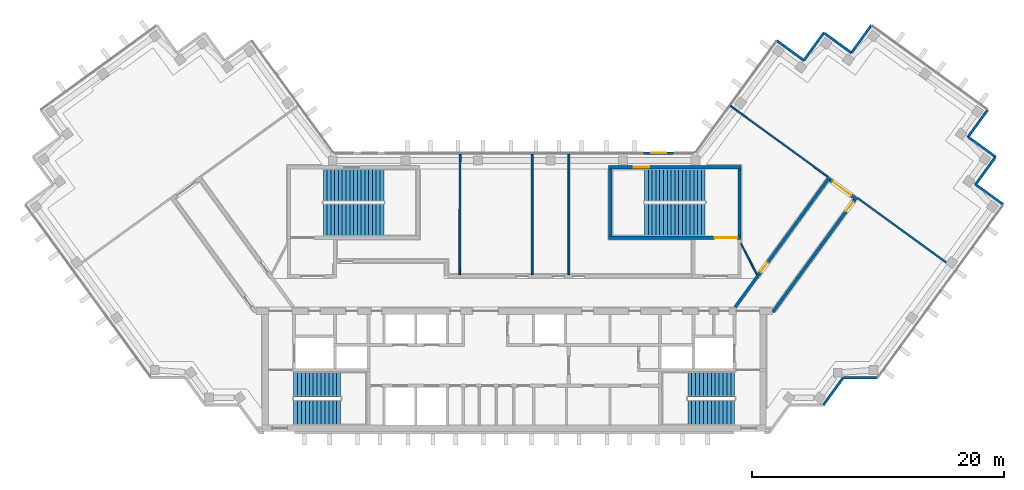
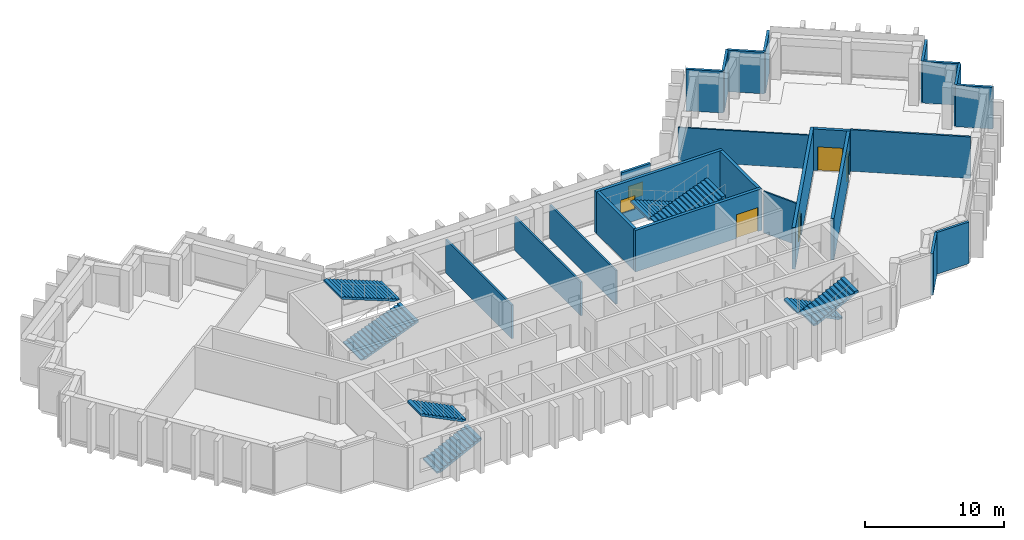
# One storey, part 8 of 10: 24 walls, 8 stair flights, 4 doors, 2 windows, 6 openings, 4 elements without a shape of their own.
"""IFC4 building model written with IfcOpenShell, lengths in metres."""

from ifc_helpers import new_model, si_unit, direction, frame, frame_2d, origin, place, context, subcontext, project, spatial, polyline, rectangle, outline, extrude, material, layer, layer_set, type_object, element, fill, aggregate, save


model = new_model("IFC4")

# Units and contexts
model_context = context("Model", 3, precision=1e-05, world=origin(), true_north=direction((0.0, 1.0)))
body_context = subcontext(model_context, "Body", "Model", "MODEL_VIEW")
ifc_project = project(units=[si_unit("LENGTHUNIT", "METRE"), si_unit("AREAUNIT", "SQUARE_METRE"), si_unit("VOLUMEUNIT", "CUBIC_METRE"), si_unit("PLANEANGLEUNIT", "RADIAN"), si_unit("MASSUNIT", "GRAM", prefix="KILO")], contexts=[model_context])

# Site, building, storey
site_placement = place(None, origin())
site = spatial("IfcSite", under=ifc_project, at=site_placement, CompositionType="ELEMENT")
building_placement = place(site_placement, origin())
building = spatial("IfcBuilding", under=site, at=building_placement, Name="Quipu Civic Tower", CompositionType="ELEMENT")
storey_placement = place(building_placement, frame((0.0, 0.0, 253.0)))
storey = spatial("IfcBuildingStorey", under=building, at=storey_placement, Name="L59", CompositionType="ELEMENT", Elevation=253.0)

# Walls
ifc_material_1 = material(Name="Double gypsum plasterboard with mineral wool")
ifc_layer_1 = layer(ifc_material_1, 0.14990234375)
ifc_layer_set_1 = layer_set([ifc_layer_1], Name="Double gypsum plasterboard with mineral wool")
wall_type_1 = type_object("IfcWallType", Name="Acoustic partition 150 plasterboard", PredefinedType="PARTITIONING", material=ifc_layer_set_1)
for number, where, z_axis, x_axis, name in (
    (1, (-4.29638671875, 11.0, 0.0), (0.0, 0.0, 1.0), (-0.002377476217, -0.999997173799, 0.0), "Partition P03"),
    (2, (1.419921875, 1.449951171875, 0.0), (0.0, 0.0, 1.0), (0.0, 1.0, 0.0), "Partition P04"),
):
    element("IfcWall", number, at=place(storey_placement, frame(where, z_axis=z_axis, x_axis=x_axis)), inside=storey, type_object=wall_type_1, Name=name, PredefinedType="PARTITIONING", context=body_context, shape_type="SweptSolid", body=[
        extrude(rectangle(XDim=9.550048828125, YDim=0.14990234375, at=frame_2d((4.77490234375, 0.0))), origin(), (0.0, 0.0, 1.0), 2.949951171875),
    ])
wall_1_placement = place(storey_placement, frame((27.240478515625, 7.532470703125, 0.0), z_axis=(0.0, 0.0, 1.0), x_axis=(0.809027940177, -0.587770186393, 0.0)))
element("IfcWall", 3, at=wall_1_placement, inside=storey, type_object=wall_type_1, Name="Partition P05", PredefinedType="PARTITIONING", context=body_context, shape_type="SweptSolid", body=[
    extrude(rectangle(XDim=8.71484375, YDim=0.14990234375, at=frame_2d((4.357421875, 0.0))), origin(), (0.0, 0.0, 1.0), 3.64990234375),
])
wall_2_placement = place(storey_placement, frame((4.339111328125, 11.0, 0.0), z_axis=(0.0, 0.0, 1.0), x_axis=(0.0, -1.0, 0.0)))
element("IfcWall", 4, at=wall_2_placement, inside=storey, type_object=wall_type_1, Name="Partition P07", PredefinedType="PARTITIONING", context=body_context, shape_type="SweptSolid", body=[
    extrude(rectangle(XDim=9.550048828125, YDim=0.14990234375, at=frame_2d((4.77490234375, 0.0))), origin(), (0.0, 0.0, 1.0), 2.949951171875),
])

# Wall, opening, door
ifc_material_2 = material(Name="Concrete C70/85", Category="concrete")
ifc_layer_2 = layer(ifc_material_2, 0.25)
ifc_layer_set_2 = layer_set([ifc_layer_2], Name="Concrete C70/85")
wall_type_2 = type_object("IfcWallType", Name="Core wall 250", PredefinedType="SHEAR", material=ifc_layer_set_2)
wall_3_placement = place(storey_placement, frame((7.5, 4.375, 0.0), z_axis=(0.0, 0.0, 1.0), x_axis=(1.0, 0.0, 0.0)))
wall_3 = element("IfcWall", 5, at=wall_3_placement, inside=storey, type_object=wall_type_2, Name="Core wall", PredefinedType="SHEAR", context=body_context, shape_type="SweptSolid", body=[
    extrude(rectangle(XDim=10.5, YDim=0.25, at=frame_2d((5.25, 0.0))), origin(), (0.0, 0.0, 1.0), 3.64990234375),
])
opening_1_placement = place(wall_3_placement, frame((8.39990234375, 0.0, 0.0)))
opening_1 = element("IfcOpeningElement", 6, at=opening_1_placement, cuts=wall_3, Name="Opening CD-30", PredefinedType="OPENING", context=body_context, shape_type="SweptSolid", body=[
    extrude(rectangle(XDim=1.800048828125, YDim=2.10009765625, at=frame_2d((0.89990234375, 1.050048828125))), frame((0.0, 0.135009765625, 0.0), z_axis=(0.0, -1.0, 0.0), x_axis=(1.0, 0.0, 0.0)), (0.0, 0.0, 1.0), 0.27001953125),
])
ifc_material_3 = material(Name="Fire rated steel door", Category="steel")
door_type_1 = type_object("IfcDoorType", Name="Fire door FD90 double 1800 x 2100", OperationType="NOTDEFINED", PredefinedType="DOOR", material=ifc_material_3)
door_1_placement = place(opening_1_placement, origin())
door_1 = element("IfcDoor", 7, at=door_1_placement, inside=storey, type_object=door_type_1, Name="Door", OperationType="DOUBLE_DOOR_SINGLE_SWING", OverallHeight=2.10009765625, OverallWidth=1.800048828125, PredefinedType="DOOR", context=body_context, shape_type="SweptSolid", body=[
    extrude(rectangle(XDim=1.800048828125, YDim=2.10009765625, at=frame_2d((0.89990234375, 1.050048828125))), frame((0.0, 0.02490234375, 0.0), z_axis=(0.0, -1.0, 0.0), x_axis=(1.0, 0.0, 0.0)), (0.0, 0.0, 1.0), 0.050048828125),
])
fill(opening_1, door_1)

# Walls
for number, where, z_axis, x_axis, name in (
    (8, (7.625, 4.5, 0.0), (0.0, 0.0, 1.0), (0.0, 1.0, 0.0), "Core wall"),
    (9, (17.875, 4.5, 0.0), (0.0, 0.0, 1.0), (0.0, 1.0, 0.0), "Core wall"),
):
    element("IfcWall", number, at=place(storey_placement, frame(where, z_axis=z_axis, x_axis=x_axis)), inside=storey, type_object=wall_type_2, Name=name, PredefinedType="SHEAR", context=body_context, shape_type="SweptSolid", body=[
        extrude(rectangle(XDim=5.35009765625, YDim=0.25, at=frame_2d((2.675048828125, 0.0))), origin(), (0.0, 0.0, 1.0), 3.64990234375),
    ])

# Wall, opening, window
wall_4_placement = place(storey_placement, frame((7.5, 9.97509765625, 0.0), z_axis=(0.0, 0.0, 1.0), x_axis=(1.0, 0.0, 0.0)))
wall_4 = element("IfcWall", 10, at=wall_4_placement, inside=storey, type_object=wall_type_2, Name="Core wall", PredefinedType="SHEAR", context=body_context, shape_type="SweptSolid", body=[
    extrude(rectangle(XDim=10.5, YDim=0.25, at=frame_2d((5.25, 0.0))), origin(), (0.0, 0.0, 1.0), 3.64990234375),
])
opening_2_placement = place(wall_4_placement, frame((2.0, 0.0, 1.0)))
opening_2 = element("IfcOpeningElement", 11, at=opening_2_placement, cuts=wall_4, Name="Opening SV-4", PredefinedType="OPENING", context=body_context, shape_type="SweptSolid", body=[
    extrude(rectangle(XDim=1.199951171875, YDim=1.199951171875, at=frame_2d((0.60009765625, 0.60009765625))), frame((0.0, 0.135009765625, 0.0), z_axis=(0.0, -1.0, 0.0), x_axis=(1.0, 0.0, 0.0)), (0.0, 0.0, 1.0), 0.27001953125),
])
ifc_material_4 = material(Name="Aluminium louvre", Category="aluminium")
window_type_1 = type_object("IfcWindowType", Name="Stair ventilation louvre 1200 x 1200", PartitioningType="SINGLE_PANEL", PredefinedType="WINDOW", material=ifc_material_4)
window_1_placement = place(opening_2_placement, origin())
window_1 = element("IfcWindow", 12, at=window_1_placement, inside=storey, type_object=window_type_1, Name="Stair ventilation opening", OverallHeight=1.199951171875, OverallWidth=1.199951171875, PartitioningType="SINGLE_PANEL", PredefinedType="WINDOW", context=body_context, shape_type="SweptSolid", body=[
    extrude(rectangle(XDim=1.199951171875, YDim=1.199951171875, at=frame_2d((0.60009765625, 0.60009765625))), frame((0.0, 0.030029296875, 0.0), z_axis=(0.0, -1.0, 0.0), x_axis=(1.0, 0.0, 0.0)), (0.0, 0.0, 1.0), 0.06005859375),
])
fill(opening_2, window_1)

# Wall, opening, door
ifc_material_5 = material(Name="Concrete C50/60", Category="concrete")
ifc_layer_3 = layer(ifc_material_5, 0.25)
ifc_layer_set_3 = layer_set([ifc_layer_3], Name="Concrete C50/60")
wall_type_3 = type_object("IfcWallType", Name="Corridor wall 250 concrete", PredefinedType="SOLIDWALL", material=ifc_layer_set_3)
wall_5_placement = place(storey_placement, frame((17.544921875, -1.124755859375, 0.0), z_axis=(0.0, 0.0, 1.0), x_axis=(0.587796810203, 0.809008596935, 0.0)))
wall_5 = element("IfcWall", 13, at=wall_5_placement, inside=storey, type_object=wall_type_3, Name="Corridor wall C01", PredefinedType="SOLIDWALL", context=body_context, shape_type="SweptSolid", body=[
    extrude(rectangle(XDim=12.703125, YDim=0.25, at=frame_2d((6.3515625, 0.0))), origin(), (0.0, 0.0, 1.0), 3.64990234375),
])
opening_3_placement = place(wall_5_placement, frame((3.44140625, 0.0, 0.0)))
opening_3 = element("IfcOpeningElement", 14, at=opening_3_placement, cuts=wall_5, Name="Opening D001", PredefinedType="OPENING", context=body_context, shape_type="SweptSolid", body=[
    extrude(rectangle(XDim=0.89990234375, YDim=2.10009765625, at=frame_2d((0.449951171875, 1.050048828125))), frame((0.0, 0.135009765625, 0.0), z_axis=(0.0, -1.0, 0.0), x_axis=(1.0, 0.0, 0.0)), (0.0, 0.0, 1.0), 0.27001953125),
])
ifc_material_6 = material(Name="Fire rated timber door set with metal frame", Category="wood")
door_type_2 = type_object("IfcDoorType", Name="Single door 900 x 2100 FD60", OperationType="NOTDEFINED", PredefinedType="DOOR", material=ifc_material_6)
door_2_placement = place(opening_3_placement, origin())
door_2 = element("IfcDoor", 15, at=door_2_placement, inside=storey, type_object=door_type_2, Name="Door D001", OperationType="SINGLE_SWING_LEFT", OverallHeight=2.10009765625, OverallWidth=0.89990234375, PredefinedType="DOOR", context=body_context, shape_type="SweptSolid", body=[
    extrude(rectangle(XDim=0.89990234375, YDim=2.10009765625, at=frame_2d((0.449951171875, 1.050048828125))), frame((0.0, 0.02490234375, 0.0), z_axis=(0.0, -1.0, 0.0), x_axis=(1.0, 0.0, 0.0)), (0.0, 0.0, 1.0), 0.050048828125),
])
fill(opening_3, door_2)

wall_6_placement = place(storey_placement, frame((25.039306640625, 8.9775390625, 0.0), z_axis=(0.0, 0.0, 1.0), x_axis=(0.809006914995, -0.587799125119, 0.0)))
wall_6 = element("IfcWall", 16, at=wall_6_placement, inside=storey, type_object=wall_type_3, Name="Corridor wall C02", PredefinedType="SOLIDWALL", context=body_context, shape_type="SweptSolid", body=[
    extrude(rectangle(XDim=2.64990234375, YDim=0.25, at=frame_2d((1.324951171875, 0.0))), origin(), (0.0, 0.0, 1.0), 3.64990234375),
])
opening_4_placement = place(wall_6_placement, frame((0.300537109375, 0.0, 0.0)))
opening_4 = element("IfcOpeningElement", 17, at=opening_4_placement, cuts=wall_6, Name="Opening D003", PredefinedType="OPENING", context=body_context, shape_type="SweptSolid", body=[
    extrude(rectangle(XDim=1.800048828125, YDim=2.10009765625, at=frame_2d((0.89990234375, 1.050048828125))), frame((0.0, 0.135009765625, 0.0), z_axis=(0.0, -1.0, 0.0), x_axis=(1.0, 0.0, 0.0)), (0.0, 0.0, 1.0), 0.27001953125),
])
ifc_material_7 = material(Name="Fire rated timber door set with metal frame", Category="wood")
door_type_3 = type_object("IfcDoorType", Name="Double door 1800 x 2100 FD60", OperationType="DOUBLE_DOOR_SINGLE_SWING", PredefinedType="DOOR", material=ifc_material_7)
door_3_placement = place(opening_4_placement, origin())
door_3 = element("IfcDoor", 18, at=door_3_placement, inside=storey, type_object=door_type_3, Name="Door D003", OperationType="DOUBLE_DOOR_SINGLE_SWING", OverallHeight=2.10009765625, OverallWidth=1.800048828125, PredefinedType="DOOR", context=body_context, shape_type="SweptSolid", body=[
    extrude(rectangle(XDim=1.800048828125, YDim=2.10009765625, at=frame_2d((0.89990234375, 1.050048828125))), frame((0.0, 0.02490234375, 0.0), z_axis=(0.0, -1.0, 0.0), x_axis=(1.0, 0.0, 0.0)), (0.0, 0.0, 1.0), 0.050048828125),
])
fill(opening_4, door_3)

wall_7_placement = place(storey_placement, frame((27.008544921875, 7.392333984375, 0.0), z_axis=(0.0, 0.0, 1.0), x_axis=(-0.587776457057, -0.809023384414, 0.0)))
wall_7 = element("IfcWall", 19, at=wall_7_placement, inside=storey, type_object=wall_type_3, Name="Corridor wall C03", PredefinedType="SOLIDWALL", context=body_context, shape_type="SweptSolid", body=[
    extrude(rectangle(XDim=11.0205078125, YDim=0.25, at=frame_2d((5.51025390625, 0.0))), origin(), (0.0, 0.0, 1.0), 3.64990234375),
])
opening_5_placement = place(wall_7_placement, frame((0.224609375, 0.0, 0.0)))
opening_5 = element("IfcOpeningElement", 20, at=opening_5_placement, cuts=wall_7, Name="Opening D002", PredefinedType="OPENING", context=body_context, shape_type="SweptSolid", body=[
    extrude(rectangle(XDim=0.89990234375, YDim=2.10009765625, at=frame_2d((0.449951171875, 1.050048828125))), frame((0.0, 0.135009765625, 0.0), z_axis=(0.0, -1.0, 0.0), x_axis=(1.0, 0.0, 0.0)), (0.0, 0.0, 1.0), 0.27001953125),
])
door_4_placement = place(opening_5_placement, origin())
door_4 = element("IfcDoor", 21, at=door_4_placement, inside=storey, type_object=door_type_2, Name="Door D002", OperationType="SINGLE_SWING_LEFT", OverallHeight=2.10009765625, OverallWidth=0.89990234375, PredefinedType="DOOR", context=body_context, shape_type="SweptSolid", body=[
    extrude(rectangle(XDim=0.89990234375, YDim=2.10009765625, at=frame_2d((0.449951171875, 1.050048828125))), frame((0.0, 0.02490234375, 0.0), z_axis=(0.0, -1.0, 0.0), x_axis=(1.0, 0.0, 0.0)), (0.0, 0.0, 1.0), 0.050048828125),
])
fill(opening_5, door_4)

# Walls
ifc_material_8 = material(Name="Gypsum plasterboard on light gauge framing")
ifc_layer_4 = layer(ifc_material_8, 0.1201171875)
ifc_layer_set_4 = layer_set([ifc_layer_4], Name="Gypsum plasterboard on light gauge framing")
wall_type_4 = type_object("IfcWallType", Name="Partition 120 plasterboard", PredefinedType="PARTITIONING", material=ifc_layer_set_4)
wall_8_placement = place(storey_placement, frame((24.89794921875, 9.20947265625, 0.0), z_axis=(0.0, 0.0, 1.0), x_axis=(-0.809013490065, 0.587790075531, 0.0)))
element("IfcWall", 22, at=wall_8_placement, inside=storey, type_object=wall_type_4, Name="Partition P01", PredefinedType="PARTITIONING", context=body_context, shape_type="SweptSolid", body=[
    extrude(rectangle(XDim=9.54931640625, YDim=0.1201171875, at=frame_2d((4.774658203125, 0.0))), origin(), (0.0, 0.0, 1.0), 2.949951171875),
])
wall_9_placement = place(storey_placement, frame((18.0, 3.925048828125, 0.0), z_axis=(0.0, 0.0, 1.0), x_axis=(0.453950796792, -0.891026752736, 0.0)))
element("IfcWall", 23, at=wall_9_placement, inside=storey, type_object=wall_type_4, Name="Partition P08", PredefinedType="PARTITIONING", context=body_context, shape_type="SweptSolid", body=[
    extrude(rectangle(XDim=2.77783203125, YDim=0.1201171875, at=frame_2d((1.388916015625, 0.0))), origin(), (0.0, 0.0, 1.0), 3.64990234375),
])
ifc_material_9 = material(Name="Precast concrete C40/50", Category="concrete")
wall_type_5 = type_object("IfcWallType", Name="Precast cladding wall", PredefinedType="SOLIDWALL", material=ifc_material_9)
wall_10_placement = place(storey_placement, frame((24.533203125, -8.90869140625, 0.0), z_axis=(0.0, 0.0, 1.0), x_axis=(0.587720002413, 0.809064397168, 0.0)))
element("IfcWall", 24, at=wall_10_placement, inside=storey, type_object=wall_type_5, Name="Precast cladding wall L59 11", PredefinedType="SOLIDWALL", context=body_context, shape_type="SweptSolid", body=[
    extrude(rectangle(XDim=2.7001953125, YDim=0.199951171875, at=frame_2d((1.35009765625, 0.0))), origin(), (0.0, 0.0, 1.0), 3.64990234375),
])
for number, where, z_axis, x_axis, name in (
    (25, (26.1298828125, -6.71923828125, 0.0), (0.0, 0.0, 1.0), (1.0, 0.0, 0.0), "Precast cladding wall L59 12"),
    (26, (38.813720703125, 7.010498046875, 0.0), (0.0, 0.0, 1.0), (-0.809033161865, 0.587762999008, 0.0), "Precast cladding wall L59 14"),
    (27, (36.60205078125, 8.580322265625, 0.0), (0.0, 0.0, 1.0), (0.587822180636, 0.808990163075, 0.0), "Precast cladding wall L59 15"),
    (28, (38.21630859375, 10.78173828125, 0.0), (0.0, 0.0, 1.0), (-0.809033161865, 0.587762999008, 0.0), "Precast cladding wall L59 16"),
    (29, (36.0048828125, 12.3515625, 0.0), (0.0, 0.0, 1.0), (0.587762999008, 0.809033161865, 0.0), "Precast cladding wall L59 17"),
):
    element("IfcWall", number, at=place(storey_placement, frame(where, z_axis=z_axis, x_axis=x_axis)), inside=storey, type_object=wall_type_5, Name=name, PredefinedType="SOLIDWALL", context=body_context, shape_type="SweptSolid", body=[
        extrude(rectangle(XDim=2.699951171875, YDim=0.199951171875, at=frame_2d((1.35009765625, 0.0))), origin(), (0.0, 0.0, 1.0), 3.64990234375),
    ])
for number, where, z_axis, x_axis, name in (
    (30, (28.3544921875, 21.247314453125, 0.0), (0.0, 0.0, 1.0), (-0.587720002413, -0.809064397168, 0.0), "Precast cladding wall L59 19"),
    (31, (26.78466796875, 19.03564453125, 0.0), (0.0, 0.0, 1.0), (-0.809064397168, 0.587720002413, 0.0), "Precast cladding wall L59 20"),
):
    element("IfcWall", number, at=place(storey_placement, frame(where, z_axis=z_axis, x_axis=x_axis)), inside=storey, type_object=wall_type_5, Name=name, PredefinedType="SOLIDWALL", context=body_context, shape_type="SweptSolid", body=[
        extrude(rectangle(XDim=2.7001953125, YDim=0.199951171875, at=frame_2d((1.35009765625, 0.0))), origin(), (0.0, 0.0, 1.0), 3.64990234375),
    ])
for number, where, z_axis, x_axis, name in (
    (32, (24.583251953125, 20.64990234375, 0.0), (0.0, 0.0, 1.0), (-0.587762999008, -0.809033161865, 0.0), "Precast cladding wall L59 21"),
    (33, (23.01318359375, 18.438232421875, 0.0), (0.0, 0.0, 1.0), (-0.808990163075, 0.587822180636, 0.0), "Precast cladding wall L59 22"),
):
    element("IfcWall", number, at=place(storey_placement, frame(where, z_axis=z_axis, x_axis=x_axis)), inside=storey, type_object=wall_type_5, Name=name, PredefinedType="SOLIDWALL", context=body_context, shape_type="SweptSolid", body=[
        extrude(rectangle(XDim=2.699951171875, YDim=0.199951171875, at=frame_2d((1.35009765625, 0.0))), origin(), (0.0, 0.0, 1.0), 3.64990234375),
    ])

# Wall, opening, window
wall_11_placement = place(storey_placement, frame((12.655029296875, 11.10009765625, 0.0), z_axis=(0.0, 0.0, 1.0), x_axis=(-1.0, 0.0, 0.0)))
wall_11 = element("IfcWall", 34, at=wall_11_placement, inside=storey, type_object=wall_type_5, Name="Vent surround SF-L59-2", PredefinedType="SOLIDWALL", context=body_context, shape_type="SweptSolid", body=[
    extrude(rectangle(XDim=2.3916015625, YDim=0.199951171875, at=frame_2d((1.19580078125, 0.0))), origin(), (0.0, 0.0, 1.0), 3.64990234375),
])
opening_6_placement = place(wall_11_placement, frame((0.595703125, 0.0, 1.0)))
opening_6 = element("IfcOpeningElement", 35, at=opening_6_placement, cuts=wall_11, Name="Opening SF-L59-2", PredefinedType="OPENING", context=body_context, shape_type="SweptSolid", body=[
    extrude(rectangle(XDim=1.199951171875, YDim=1.199951171875, at=frame_2d((0.60009765625, 0.60009765625))), frame((0.0, 0.10986328125, 0.0), z_axis=(0.0, -1.0, 0.0), x_axis=(1.0, 0.0, 0.0)), (0.0, 0.0, 1.0), 0.219970703125),
])
ifc_material_10 = material(Name="Anodised aluminium louvre", Category="aluminium")
window_type_2 = type_object("IfcWindowType", Name="Stair vent louvre window P3", PartitioningType="SINGLE_PANEL", PredefinedType="WINDOW", material=ifc_material_10)
window_2_placement = place(opening_6_placement, origin())
window_2 = element("IfcWindow", 36, at=window_2_placement, inside=storey, type_object=window_type_2, Name="Stair vent louvre SF-L59-2", OverallHeight=1.199951171875, OverallWidth=1.199951171875, PartitioningType="SINGLE_PANEL", PredefinedType="WINDOW", context=body_context, shape_type="SweptSolid", body=[
    extrude(rectangle(XDim=1.199951171875, YDim=1.199951171875, at=frame_2d((0.60009765625, 0.60009765625))), frame((0.0, 0.030029296875, 0.0), z_axis=(0.0, -1.0, 0.0), x_axis=(1.0, 0.0, 0.0)), (0.0, 0.0, 1.0), 0.06005859375),
])
fill(opening_6, window_2)

# Stair, stair flights
ifc_material_11 = material(Name="Concrete C40/50", Category="concrete")
stair_type_1 = type_object("IfcStairType", Name="Half turn stair 2000", PredefinedType="HALF_TURN_STAIR", material=ifc_material_11)
stair_1_placement = place(storey_placement, origin())
stair_1 = element("IfcStair", 37, at=stair_1_placement, inside=storey, type_object=stair_type_1, Name="Exit stair 1", PredefinedType="HALF_TURN_STAIR")
ifc_material_12 = material(Name="Concrete C40/50", Category="concrete")
stair_flight_type_1 = type_object("IfcStairFlightType", Name="Stair flight 2000", PredefinedType="STRAIGHT", material=ifc_material_12)
stair_flight_1_placement = place(storey_placement, frame((-17.5, -9.5, 0.0), z_axis=(0.0, 0.0, 1.0), x_axis=(1.0, 0.0, 0.0)))
stair_flight_1 = element("IfcStairFlight", 38, at=stair_flight_1_placement, type_object=stair_flight_type_1, Name="ST-1 flight 1", NumberOfRisers=13, NumberOfTreads=12, PredefinedType="STRAIGHT", RiserHeight=0.153846154, TreadLength=0.31, context=body_context, shape_type="SweptSolid", body=[
    extrude(outline(polyline([(0.0, 0.0), (0.0, 0.15380859375), (0.31005859375, 0.15380859375), (0.31005859375, 0.3076171875), (0.6201171875, 0.3076171875), (0.6201171875, 0.46142578125), (0.929931640625, 0.46142578125), (0.929931640625, 0.615478515625), (1.239990234375, 0.615478515625), (1.239990234375, 0.769287109375), (1.550048828125, 0.769287109375), (1.550048828125, 0.923095703125), (1.860107421875, 0.923095703125), (1.860107421875, 1.076904296875), (2.169921875, 1.076904296875), (2.169921875, 1.230712890625), (2.47998046875, 1.230712890625), (2.47998046875, 1.384521484375), (2.7900390625, 1.384521484375), (2.7900390625, 1.53857421875), (3.10009765625, 1.53857421875), (3.10009765625, 1.6923828125), (3.409912109375, 1.6923828125), (3.409912109375, 1.84619140625), (3.719970703125, 1.84619140625), (3.719970703125, 2.0), (3.719970703125, 1.6787109375), (0.337158203125, 0.0), (0.0, 0.0)])), frame((0.0, 1.0, 0.0), z_axis=(0.0, -1.0, 0.0), x_axis=(1.0, 0.0, 0.0)), (0.0, 0.0, 1.0), 2.0),
])
stair_flight_2_placement = place(storey_placement, frame((-13.780029296875, -7.25, 2.0), z_axis=(0.0, 0.0, 1.0), x_axis=(-1.0, 0.0, 0.0)))
stair_flight_2 = element("IfcStairFlight", 39, at=stair_flight_2_placement, type_object=stair_flight_type_1, Name="ST-1 flight 2", NumberOfRisers=13, NumberOfTreads=12, PredefinedType="STRAIGHT", RiserHeight=0.153846154, TreadLength=0.31, context=body_context, shape_type="SweptSolid", body=[
    extrude(outline(polyline([(0.0, 0.0), (0.0, 0.15380859375), (0.31005859375, 0.15380859375), (0.31005859375, 0.3076171875), (0.6201171875, 0.3076171875), (0.6201171875, 0.46142578125), (0.929931640625, 0.46142578125), (0.929931640625, 0.615478515625), (1.239990234375, 0.615478515625), (1.239990234375, 0.769287109375), (1.550048828125, 0.769287109375), (1.550048828125, 0.923095703125), (1.860107421875, 0.923095703125), (1.860107421875, 1.076904296875), (2.169921875, 1.076904296875), (2.169921875, 1.230712890625), (2.47998046875, 1.230712890625), (2.47998046875, 1.384521484375), (2.7900390625, 1.384521484375), (2.7900390625, 1.53857421875), (3.10009765625, 1.53857421875), (3.10009765625, 1.6923828125), (3.409912109375, 1.6923828125), (3.409912109375, 1.84619140625), (3.719970703125, 1.84619140625), (3.719970703125, 2.0), (3.719970703125, 1.6787109375), (0.337158203125, 0.0), (0.0, 0.0)])), frame((0.0, 1.0, 0.0), z_axis=(0.0, -1.0, 0.0), x_axis=(1.0, 0.0, 0.0)), (0.0, 0.0, 1.0), 2.0),
])
aggregate(stair_1, [stair_flight_1, stair_flight_2])

stair_2_placement = place(storey_placement, origin())
stair_2 = element("IfcStair", 40, at=stair_2_placement, inside=storey, type_object=stair_type_1, Name="Exit stair 2", PredefinedType="HALF_TURN_STAIR")
stair_flight_3_placement = place(storey_placement, frame((17.5, -7.25, 0.0), z_axis=(0.0, 0.0, 1.0), x_axis=(-1.0, 0.0, 0.0)))
stair_flight_3 = element("IfcStairFlight", 41, at=stair_flight_3_placement, type_object=stair_flight_type_1, Name="ST-2 flight 1", NumberOfRisers=13, NumberOfTreads=12, PredefinedType="STRAIGHT", RiserHeight=0.153846154, TreadLength=0.31, context=body_context, shape_type="SweptSolid", body=[
    extrude(outline(polyline([(0.0, 0.0), (0.0, 0.15380859375), (0.31005859375, 0.15380859375), (0.31005859375, 0.3076171875), (0.6201171875, 0.3076171875), (0.6201171875, 0.46142578125), (0.929931640625, 0.46142578125), (0.929931640625, 0.615478515625), (1.239990234375, 0.615478515625), (1.239990234375, 0.769287109375), (1.550048828125, 0.769287109375), (1.550048828125, 0.923095703125), (1.860107421875, 0.923095703125), (1.860107421875, 1.076904296875), (2.169921875, 1.076904296875), (2.169921875, 1.230712890625), (2.47998046875, 1.230712890625), (2.47998046875, 1.384521484375), (2.7900390625, 1.384521484375), (2.7900390625, 1.53857421875), (3.10009765625, 1.53857421875), (3.10009765625, 1.6923828125), (3.409912109375, 1.6923828125), (3.409912109375, 1.84619140625), (3.719970703125, 1.84619140625), (3.719970703125, 2.0), (3.719970703125, 1.6787109375), (0.337158203125, 0.0), (0.0, 0.0)])), frame((0.0, 1.0, 0.0), z_axis=(0.0, -1.0, 0.0), x_axis=(1.0, 0.0, 0.0)), (0.0, 0.0, 1.0), 2.0),
])
stair_flight_4_placement = place(storey_placement, frame((13.780029296875, -9.5, 2.0), z_axis=(0.0, 0.0, 1.0), x_axis=(1.0, 0.0, 0.0)))
stair_flight_4 = element("IfcStairFlight", 42, at=stair_flight_4_placement, type_object=stair_flight_type_1, Name="ST-2 flight 2", NumberOfRisers=13, NumberOfTreads=12, PredefinedType="STRAIGHT", RiserHeight=0.153846154, TreadLength=0.31, context=body_context, shape_type="SweptSolid", body=[
    extrude(outline(polyline([(0.0, 0.0), (0.0, 0.15380859375), (0.31005859375, 0.15380859375), (0.31005859375, 0.3076171875), (0.6201171875, 0.3076171875), (0.6201171875, 0.46142578125), (0.929931640625, 0.46142578125), (0.929931640625, 0.615478515625), (1.239990234375, 0.615478515625), (1.239990234375, 0.769287109375), (1.550048828125, 0.769287109375), (1.550048828125, 0.923095703125), (1.860107421875, 0.923095703125), (1.860107421875, 1.076904296875), (2.169921875, 1.076904296875), (2.169921875, 1.230712890625), (2.47998046875, 1.230712890625), (2.47998046875, 1.384521484375), (2.7900390625, 1.384521484375), (2.7900390625, 1.53857421875), (3.10009765625, 1.53857421875), (3.10009765625, 1.6923828125), (3.409912109375, 1.6923828125), (3.409912109375, 1.84619140625), (3.719970703125, 1.84619140625), (3.719970703125, 2.0), (3.719970703125, 1.6787109375), (0.337158203125, 0.0), (0.0, 0.0)])), frame((0.0, 1.0, 0.0), z_axis=(0.0, -1.0, 0.0), x_axis=(1.0, 0.0, 0.0)), (0.0, 0.0, 1.0), 2.0),
])
aggregate(stair_2, [stair_flight_3, stair_flight_4])

ifc_material_13 = material(Name="Concrete C40/50", Category="concrete")
stair_type_2 = type_object("IfcStairType", Name="Half turn stair 2600", PredefinedType="HALF_TURN_STAIR", material=ifc_material_13)
stair_3_placement = place(storey_placement, origin())
stair_3 = element("IfcStair", 43, at=stair_3_placement, inside=storey, type_object=stair_type_2, Name="Exit stair 3", PredefinedType="HALF_TURN_STAIR")
ifc_material_14 = material(Name="Concrete C40/50", Category="concrete")
stair_flight_type_2 = type_object("IfcStairFlightType", Name="Stair flight 2600", PredefinedType="STRAIGHT", material=ifc_material_14)
stair_flight_5_placement = place(storey_placement, frame((-15.14990234375, 5.800048828125, 0.0), z_axis=(0.0, 0.0, 1.0), x_axis=(1.0, 0.0, 0.0)))
stair_flight_5 = element("IfcStairFlight", 44, at=stair_flight_5_placement, type_object=stair_flight_type_2, Name="ST-3 flight 1", NumberOfRisers=17, NumberOfTreads=16, PredefinedType="STRAIGHT", RiserHeight=0.117647059, TreadLength=0.3, context=body_context, shape_type="SweptSolid", body=[
    extrude(outline(polyline([(0.0, 0.0), (0.0, 0.11767578125), (0.300048828125, 0.11767578125), (0.300048828125, 0.2353515625), (0.60009765625, 0.2353515625), (0.60009765625, 0.35302734375), (0.89990234375, 0.35302734375), (0.89990234375, 0.470703125), (1.199951171875, 0.470703125), (1.199951171875, 0.588134765625), (1.5, 0.588134765625), (1.5, 0.705810546875), (1.800048828125, 0.705810546875), (1.800048828125, 0.823486328125), (2.10009765625, 0.823486328125), (2.10009765625, 0.941162109375), (2.39990234375, 0.941162109375), (2.39990234375, 1.058837890625), (2.699951171875, 1.058837890625), (2.699951171875, 1.176513671875), (3.0, 1.176513671875), (3.0, 1.294189453125), (3.300048828125, 1.294189453125), (3.300048828125, 1.411865234375), (3.60009765625, 1.411865234375), (3.60009765625, 1.529296875), (3.89990234375, 1.529296875), (3.89990234375, 1.64697265625), (4.199951171875, 1.64697265625), (4.199951171875, 1.7646484375), (4.5, 1.7646484375), (4.5, 1.88232421875), (4.800048828125, 1.88232421875), (4.800048828125, 2.0), (4.800048828125, 1.721435546875), (0.41064453125, 0.0), (0.0, 0.0)])), frame((0.0, 1.300048828125, 0.0), z_axis=(0.0, -1.0, 0.0), x_axis=(1.0, 0.0, 0.0)), (0.0, 0.0, 1.0), 2.60009765625),
])
stair_flight_6_placement = place(storey_placement, frame((-10.35009765625, 8.550048828125, 2.0), z_axis=(0.0, 0.0, 1.0), x_axis=(-1.0, 0.0, 0.0)))
stair_flight_6 = element("IfcStairFlight", 45, at=stair_flight_6_placement, type_object=stair_flight_type_2, Name="ST-3 flight 2", NumberOfRisers=17, NumberOfTreads=16, PredefinedType="STRAIGHT", RiserHeight=0.117647059, TreadLength=0.3, context=body_context, shape_type="SweptSolid", body=[
    extrude(outline(polyline([(0.0, 0.0), (0.0, 0.11767578125), (0.300048828125, 0.11767578125), (0.300048828125, 0.2353515625), (0.60009765625, 0.2353515625), (0.60009765625, 0.35302734375), (0.89990234375, 0.35302734375), (0.89990234375, 0.470703125), (1.199951171875, 0.470703125), (1.199951171875, 0.588134765625), (1.5, 0.588134765625), (1.5, 0.705810546875), (1.800048828125, 0.705810546875), (1.800048828125, 0.823486328125), (2.10009765625, 0.823486328125), (2.10009765625, 0.941162109375), (2.39990234375, 0.941162109375), (2.39990234375, 1.058837890625), (2.699951171875, 1.058837890625), (2.699951171875, 1.176513671875), (3.0, 1.176513671875), (3.0, 1.294189453125), (3.300048828125, 1.294189453125), (3.300048828125, 1.411865234375), (3.60009765625, 1.411865234375), (3.60009765625, 1.529296875), (3.89990234375, 1.529296875), (3.89990234375, 1.64697265625), (4.199951171875, 1.64697265625), (4.199951171875, 1.7646484375), (4.5, 1.7646484375), (4.5, 1.88232421875), (4.800048828125, 1.88232421875), (4.800048828125, 2.0), (4.800048828125, 1.721435546875), (0.41064453125, 0.0), (0.0, 0.0)])), frame((0.0, 1.300048828125, 0.0), z_axis=(0.0, -1.0, 0.0), x_axis=(1.0, 0.0, 0.0)), (0.0, 0.0, 1.0), 2.60009765625),
])
aggregate(stair_3, [stair_flight_5, stair_flight_6])

stair_4_placement = place(storey_placement, origin())
stair_4 = element("IfcStair", 46, at=stair_4_placement, inside=storey, type_object=stair_type_2, Name="Exit stair 4", PredefinedType="HALF_TURN_STAIR")
stair_flight_7_placement = place(storey_placement, frame((15.14990234375, 8.550048828125, 0.0), z_axis=(0.0, 0.0, 1.0), x_axis=(-1.0, 0.0, 0.0)))
stair_flight_7 = element("IfcStairFlight", 47, at=stair_flight_7_placement, type_object=stair_flight_type_2, Name="ST-4 flight 1", NumberOfRisers=17, NumberOfTreads=16, PredefinedType="STRAIGHT", RiserHeight=0.117647059, TreadLength=0.3, context=body_context, shape_type="SweptSolid", body=[
    extrude(outline(polyline([(0.0, 0.0), (0.0, 0.11767578125), (0.300048828125, 0.11767578125), (0.300048828125, 0.2353515625), (0.60009765625, 0.2353515625), (0.60009765625, 0.35302734375), (0.89990234375, 0.35302734375), (0.89990234375, 0.470703125), (1.199951171875, 0.470703125), (1.199951171875, 0.588134765625), (1.5, 0.588134765625), (1.5, 0.705810546875), (1.800048828125, 0.705810546875), (1.800048828125, 0.823486328125), (2.10009765625, 0.823486328125), (2.10009765625, 0.941162109375), (2.39990234375, 0.941162109375), (2.39990234375, 1.058837890625), (2.699951171875, 1.058837890625), (2.699951171875, 1.176513671875), (3.0, 1.176513671875), (3.0, 1.294189453125), (3.300048828125, 1.294189453125), (3.300048828125, 1.411865234375), (3.60009765625, 1.411865234375), (3.60009765625, 1.529296875), (3.89990234375, 1.529296875), (3.89990234375, 1.64697265625), (4.199951171875, 1.64697265625), (4.199951171875, 1.7646484375), (4.5, 1.7646484375), (4.5, 1.88232421875), (4.800048828125, 1.88232421875), (4.800048828125, 2.0), (4.800048828125, 1.721435546875), (0.41064453125, 0.0), (0.0, 0.0)])), frame((0.0, 1.300048828125, 0.0), z_axis=(0.0, -1.0, 0.0), x_axis=(1.0, 0.0, 0.0)), (0.0, 0.0, 1.0), 2.60009765625),
])
stair_flight_8_placement = place(storey_placement, frame((10.35009765625, 5.800048828125, 2.0), z_axis=(0.0, 0.0, 1.0), x_axis=(1.0, 0.0, 0.0)))
stair_flight_8 = element("IfcStairFlight", 48, at=stair_flight_8_placement, type_object=stair_flight_type_2, Name="ST-4 flight 2", NumberOfRisers=17, NumberOfTreads=16, PredefinedType="STRAIGHT", RiserHeight=0.117647059, TreadLength=0.3, context=body_context, shape_type="SweptSolid", body=[
    extrude(outline(polyline([(0.0, 0.0), (0.0, 0.11767578125), (0.300048828125, 0.11767578125), (0.300048828125, 0.2353515625), (0.60009765625, 0.2353515625), (0.60009765625, 0.35302734375), (0.89990234375, 0.35302734375), (0.89990234375, 0.470703125), (1.199951171875, 0.470703125), (1.199951171875, 0.588134765625), (1.5, 0.588134765625), (1.5, 0.705810546875), (1.800048828125, 0.705810546875), (1.800048828125, 0.823486328125), (2.10009765625, 0.823486328125), (2.10009765625, 0.941162109375), (2.39990234375, 0.941162109375), (2.39990234375, 1.058837890625), (2.699951171875, 1.058837890625), (2.699951171875, 1.176513671875), (3.0, 1.176513671875), (3.0, 1.294189453125), (3.300048828125, 1.294189453125), (3.300048828125, 1.411865234375), (3.60009765625, 1.411865234375), (3.60009765625, 1.529296875), (3.89990234375, 1.529296875), (3.89990234375, 1.64697265625), (4.199951171875, 1.64697265625), (4.199951171875, 1.7646484375), (4.5, 1.7646484375), (4.5, 1.88232421875), (4.800048828125, 1.88232421875), (4.800048828125, 2.0), (4.800048828125, 1.721435546875), (0.41064453125, 0.0), (0.0, 0.0)])), frame((0.0, 1.300048828125, 0.0), z_axis=(0.0, -1.0, 0.0), x_axis=(1.0, 0.0, 0.0)), (0.0, 0.0, 1.0), 2.60009765625),
])
aggregate(stair_4, [stair_flight_7, stair_flight_8])

save(model, "model.ifc")
